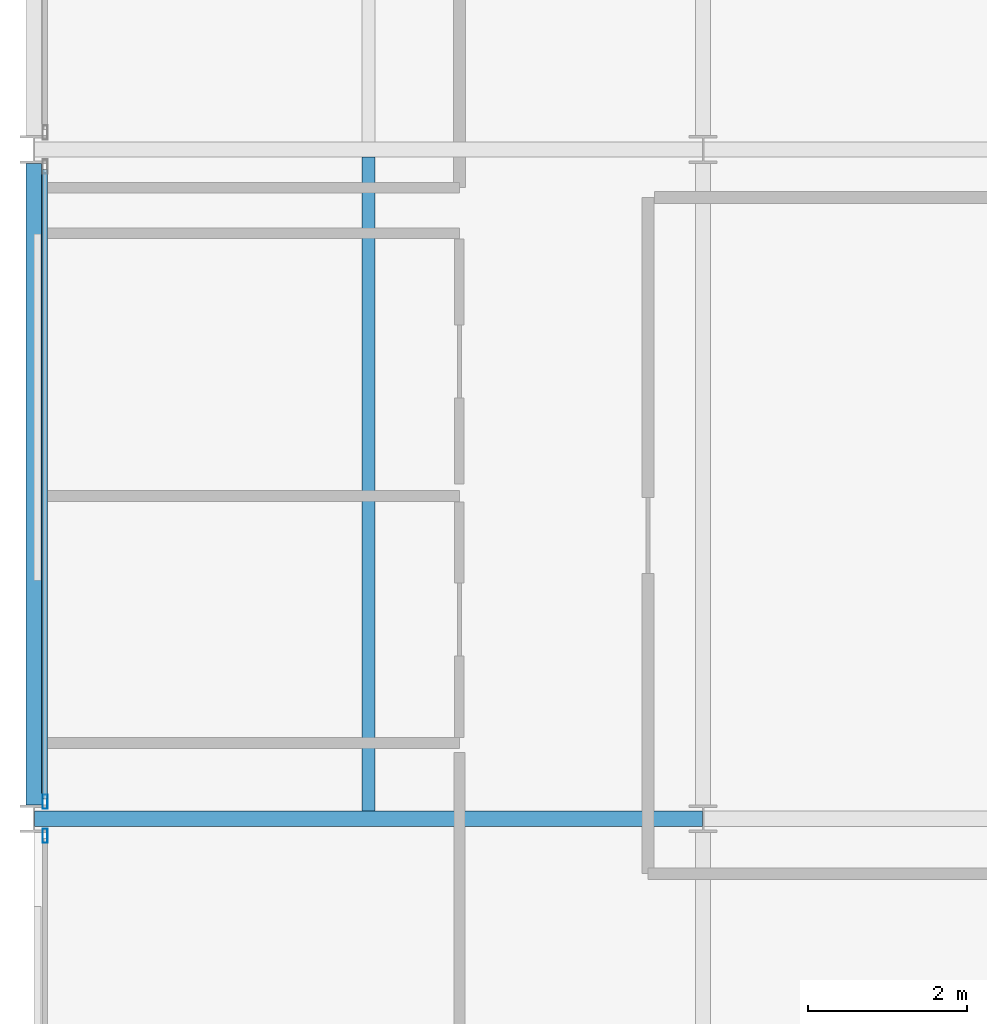
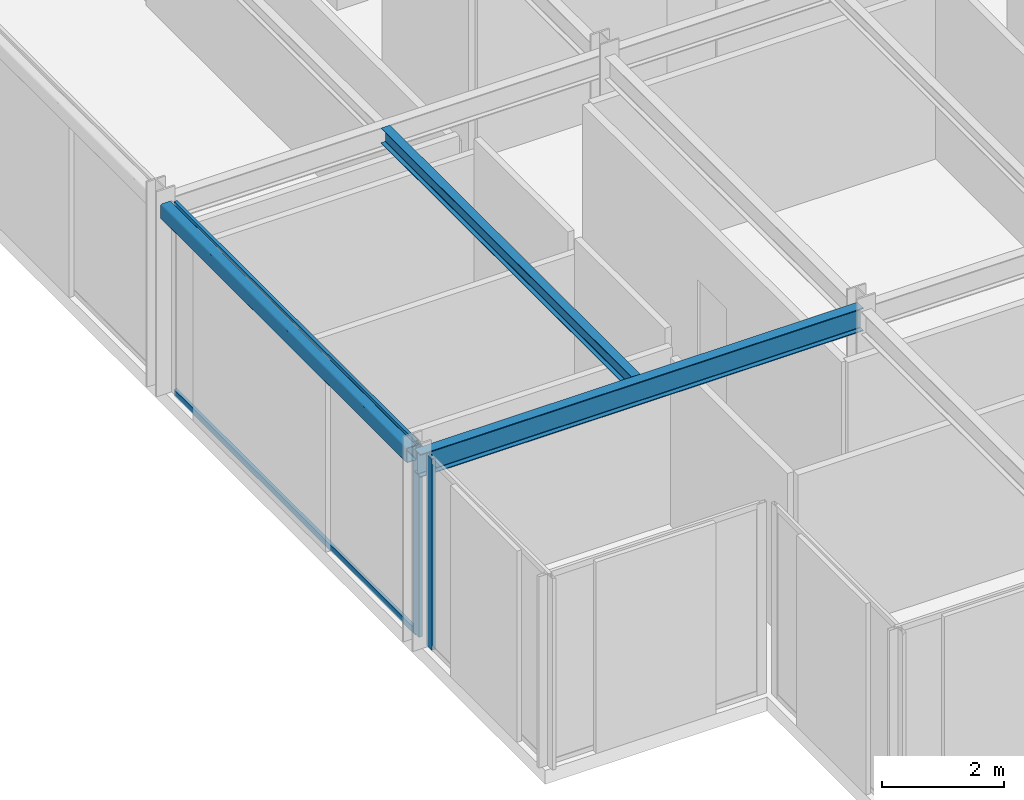
# One storey, part 4 of 25: 4 members, 3 beams, 2 elements without a shape of their own.
"""IFC4 building model written with IfcOpenShell, lengths in metres."""

import ifcopenshell
import ifcopenshell.guid

model = None  # the IFC model being written
_history = None  # IfcOwnerHistory: only IFC2X3 demands one
_inside = {}  # id of a spatial element -> (the spatial element, [elements in it])
_under = {}  # id of a project, library or spatial element -> (it, [spatial elements below it])
_declared = {}  # id of a project -> (the project, [libraries it declares])
_typed = {}  # id of a type object -> (the type object, [elements of that type])
_made_of = {}  # id of a material, layer set ... -> (it, [elements and type objects made of it])


def new_model(schema):
    """Start an empty IFC model of exactly this schema.

    Asked for "IFC4X3", IfcOpenShell would pick the latest addendum, in which some entities
    have other attributes; the version numbers below select the first issue.
    IFC2X3 requires an IfcOwnerHistory on every rooted entity: one is made here for all.
    """
    global model, _history
    if schema == "IFC4X3":
        model = ifcopenshell.file(schema_version=(4, 3, 0, 0))
    else:
        model = ifcopenshell.file(schema=schema)
    _inside.clear()
    _under.clear()
    _declared.clear()
    _typed.clear()
    _made_of.clear()
    _history = None
    if model.schema == "IFC2X3":
        org = make("IfcOrganization", Name="unknown")
        user = make(
            "IfcPersonAndOrganization",
            ThePerson=make("IfcPerson", FamilyName="unknown"),
            TheOrganization=org,
        )
        app = make(
            "IfcApplication",
            ApplicationDeveloper=org,
            Version="unknown",
            ApplicationFullName="unknown",
            ApplicationIdentifier="unknown",
        )
        _history = make(
            "IfcOwnerHistory",
            OwningUser=user,
            OwningApplication=app,
            ChangeAction="ADDED",
            CreationDate=0,
        )
    return model


def make(cls, **values):
    """One entity of the class cls with the attributes given. An attribute that is None is left unset."""
    return model.create_entity(
        cls, **{name: value for name, value in values.items() if value is not None}
    )


def rooted(cls, **values):
    """An entity with a GlobalId (a new one), such as an element, a storey or a relation."""
    return make(cls, GlobalId=ifcopenshell.guid.new(), OwnerHistory=_history, **values)


def si_unit(unit_type, name, prefix=None):
    """IfcSIUnit, for example si_unit("LENGTHUNIT", "METRE", prefix="MILLI")."""
    return make("IfcSIUnit", UnitType=unit_type, Prefix=prefix, Name=name)


def assignment(units):
    """IfcUnitAssignment: the units of a project."""
    return None if units is None else make("IfcUnitAssignment", Units=units)


def point(xyz):
    """IfcCartesianPoint."""
    return None if xyz is None else make("IfcCartesianPoint", Coordinates=xyz)


def direction(xyz):
    """IfcDirection."""
    return None if xyz is None else make("IfcDirection", DirectionRatios=xyz)


def frame(location, z_axis=None, x_axis=None):
    """IfcAxis2Placement3D, a coordinate frame: its origin and axes. An axis left out is left unset."""
    return make(
        "IfcAxis2Placement3D",
        Location=point(location),
        Axis=direction(z_axis),
        RefDirection=direction(x_axis),
    )


def frame_2d(location, x_axis=None):
    """IfcAxis2Placement2D, a coordinate frame in the plane: its origin and x axis."""
    return make(
        "IfcAxis2Placement2D", Location=point(location), RefDirection=direction(x_axis)
    )


def origin():
    """The frame at (0, 0, 0) with its axes left unset."""
    return frame((0.0, 0.0, 0.0))


def origin_2d():
    """The frame at (0, 0) in the plane with its x axis left unset."""
    return frame_2d((0.0, 0.0))


def place(relative_to, where):
    """IfcLocalPlacement: puts the frame where relative to a parent placement (None: the world)."""
    return make(
        "IfcLocalPlacement", PlacementRelTo=relative_to, RelativePlacement=where
    )


def context(
    kind, dimensions, precision=None, world=None, true_north=None, identifier=None
):
    """IfcGeometricRepresentationContext, for example the 3D "Model" context."""
    return make(
        "IfcGeometricRepresentationContext",
        ContextIdentifier=identifier,
        ContextType=kind,
        CoordinateSpaceDimension=dimensions,
        Precision=precision,
        WorldCoordinateSystem=world,
        TrueNorth=true_north,
    )


def subcontext(parent, identifier, kind, view, scale=None):
    """IfcGeometricRepresentationSubContext, for example "Body" below "Model"."""
    return make(
        "IfcGeometricRepresentationSubContext",
        ContextIdentifier=identifier,
        ContextType=kind,
        ParentContext=parent,
        TargetScale=scale,
        TargetView=view,
    )


def project(units=None, contexts=None):
    """IfcProject with its units and contexts."""
    return rooted(
        "IfcProject",
        Name="project",
        RepresentationContexts=contexts,
        UnitsInContext=assignment(units),
    )


def spatial(cls, under=None, at=None, **own):
    """A site, building, storey or space (cls), placed at a placement, below another one or the project."""
    s = rooted(cls, ObjectPlacement=at, **own)
    if under is not None:
        _under.setdefault(under.id(), (under, []))[1].append(s)
    return s


def profile(cls, at=None, kind="AREA", **sizes):
    """A parametric profile (cls). Its sizes go by their IFC names, for example OverallWidth=200.0."""
    return make(cls, ProfileType=kind, Position=at, **sizes)


def hollow_rectangle(**sizes):
    """IfcRectangleHollowProfileDef."""
    return profile("IfcRectangleHollowProfileDef", **sizes)


def i_section(**sizes):
    """IfcIShapeProfileDef."""
    return profile("IfcIShapeProfileDef", **sizes)


def extrude(swept, where, along, depth):
    """IfcExtrudedAreaSolid: the profile swept, set in the frame where, extruded along a direction by depth."""
    return make(
        "IfcExtrudedAreaSolid",
        SweptArea=swept,
        Position=where,
        ExtrudedDirection=direction(along),
        Depth=depth,
    )


def shape(context_of_items, identifier, shape_type, items):
    """IfcShapeRepresentation: the items that make up one representation, for example the "Body"."""
    return make(
        "IfcShapeRepresentation",
        ContextOfItems=context_of_items,
        RepresentationIdentifier=identifier,
        RepresentationType=shape_type,
        Items=items,
    )


def material(Name=None, Category=None):
    """IfcMaterial."""
    return make("IfcMaterial", Name=Name, Category=Category)


def layer(
    of_material, thickness, ventilated=None, Name=None, Category=None, Priority=None
):
    """IfcMaterialLayer: one layer of a wall or slab, of a material (None: an air gap)."""
    return make(
        "IfcMaterialLayer",
        Material=of_material,
        LayerThickness=thickness,
        IsVentilated=ventilated,
        Name=Name,
        Category=Category,
        Priority=Priority,
    )


def layer_set(layers, Name=None):
    """IfcMaterialLayerSet."""
    return make("IfcMaterialLayerSet", MaterialLayers=layers, LayerSetName=Name)


def material_profile(
    of_material, cross_section, Name=None, Category=None, Priority=None
):
    """IfcMaterialProfile: a cross section and its material."""
    return make(
        "IfcMaterialProfile",
        Name=Name,
        Material=of_material,
        Profile=cross_section,
        Priority=Priority,
        Category=Category,
    )


def profile_set(profiles, Name=None, composite=None):
    """IfcMaterialProfileSet."""
    return make(
        "IfcMaterialProfileSet",
        Name=Name,
        MaterialProfiles=profiles,
        CompositeProfile=composite,
    )


def made_of(thing, what):
    """Note that an element or type object is made of a material, layer set ...; save() writes the relation."""
    if what is not None:
        _made_of.setdefault(what.id(), (what, []))[1].append(thing)
    return thing


def type_object(cls, material=None, **own):
    """A type object (cls), such as IfcWallType, which elements share."""
    return made_of(rooted(cls, **own), material)


def element(
    cls,
    number,
    at=None,
    inside=None,
    cuts=None,
    type_object=None,
    material=None,
    context=None,
    identifier="Body",
    shape_type=None,
    held_by="IfcProductDefinitionShape",
    body=None,
    shapes=None,
    **own,
):
    """One element of the class cls, such as IfcWall. Its Tag is "e" and its number.

    at: its placement. inside: the storey or other place that contains it. cuts: it is an
    opening in that element (IfcRelVoidsElement). A single representation is given by context,
    identifier, shape_type and body (its items); several are given by shapes. held_by: the class
    of the entity that holds the representations. save() writes the other relations.
    """
    e = rooted(cls, Tag="e%d" % number, ObjectPlacement=at, **own)
    if body is not None:
        shapes = [shape(context, identifier, shape_type, body)]
    if shapes is not None:
        e.Representation = make(held_by, Representations=shapes)
    if inside is not None:
        _inside.setdefault(inside.id(), (inside, []))[1].append(e)
    if cuts is not None:
        rooted(
            "IfcRelVoidsElement", RelatingBuildingElement=cuts, RelatedOpeningElement=e
        )
    if type_object is not None:
        _typed.setdefault(type_object.id(), (type_object, []))[1].append(e)
    return made_of(e, material)


def aggregate(whole, parts):
    """IfcRelAggregates: a whole, such as a stair, and the parts it consists of."""
    return rooted("IfcRelAggregates", RelatingObject=whole, RelatedObjects=parts)


def save(model, path):
    """Write the relations noted so far, then the file.

    IfcRelAggregates (storeys below a building ...), IfcRelContainedInSpatialStructure (elements
    in a storey), IfcRelDefinesByType, IfcRelAssociatesMaterial and IfcRelDeclares: one each for
    every whole, place, type object, material and project.
    """
    for whole, parts in _under.values():
        aggregate(whole, parts)
    for where, things in _inside.values():
        rooted(
            "IfcRelContainedInSpatialStructure",
            RelatedElements=things,
            RelatingStructure=where,
        )
    for kind, things in _typed.values():
        rooted("IfcRelDefinesByType", RelatedObjects=things, RelatingType=kind)
    for what, things in _made_of.values():
        rooted("IfcRelAssociatesMaterial", RelatedObjects=things, RelatingMaterial=what)
    for by, libraries in _declared.values():
        rooted("IfcRelDeclares", RelatingContext=by, RelatedDefinitions=libraries)
    model.write(path)


model = new_model("IFC4")

# Units and contexts
model_context = context("Model", 3, precision=1e-05, world=origin(), true_north=direction((0.0, 1.0)))
body_context = subcontext(model_context, "Body", "Model", "MODEL_VIEW")
ifc_project = project(units=[si_unit("LENGTHUNIT", "METRE"), si_unit("AREAUNIT", "SQUARE_METRE"), si_unit("VOLUMEUNIT", "CUBIC_METRE"), si_unit("PLANEANGLEUNIT", "RADIAN"), si_unit("MASSUNIT", "GRAM", prefix="KILO")], contexts=[model_context])

# Site, building, storey
site_placement = place(None, origin())
site = spatial("IfcSite", under=ifc_project, at=site_placement, CompositionType="ELEMENT")
building_placement = place(site_placement, origin())
building = spatial("IfcBuilding", under=site, at=building_placement, Name="Nerrivon Quay Data Exchange", CompositionType="ELEMENT")
storey_placement = place(building_placement, frame((0.0, 0.0, 224.699951171875)))
storey = spatial("IfcBuildingStorey", under=building, at=storey_placement, Name="L53", CompositionType="ELEMENT", Elevation=224.699951171875)

# Beams
ifc_material_1 = material(Name="Steel Grade 350", Category="steel")
ifc_material_profile_1 = material_profile(ifc_material_1, i_section(OverallWidth=0.19091796875, OverallDepth=0.4599609375, WebThickness=0.010009765625, FlangeThickness=0.01611328125, FilletRadius=0.011474609375, at=origin_2d()), Name="460UB82.1")
ifc_profile_set_1 = profile_set([ifc_material_profile_1], Name="Steel Grade 350")
beam_type_1 = type_object("IfcBeamType", Name="BM-G5-460UB82", PredefinedType="BEAM", material=ifc_profile_set_1)
beam_1_placement = place(storey_placement, frame((0.010009765625, 8.39990234375, 3.594970703125), z_axis=(1.0, 0.0, 0.0), x_axis=(0.0, 1.0, 0.0)))
element("IfcBeam", 1, at=beam_1_placement, inside=storey, type_object=beam_type_1, Name="L53 EW Girder Y=8.4 (0.0..8.4)", PredefinedType="BEAM", context=body_context, shape_type="SweptSolid", body=[
    extrude(i_section(OverallWidth=0.19091796875, OverallDepth=0.4599609375, WebThickness=0.010009765625, FlangeThickness=0.01611328125, FilletRadius=0.011474609375, at=origin_2d()), origin(), (0.0, 0.0, 1.0), 8.3798828125),
])
ifc_material_profile_2 = material_profile(ifc_material_1, i_section(OverallWidth=0.166015625, OverallDepth=0.306884765625, WebThickness=0.006591796875, FlangeThickness=0.01171875, FilletRadius=0.011474609375, at=origin_2d()), Name="310UB46.2")
ifc_profile_set_2 = profile_set([ifc_material_profile_2], Name="Steel Grade 350")
beam_type_2 = type_object("IfcBeamType", Name="BM-J5-310UB46", PredefinedType="JOIST", material=ifc_profile_set_2)
beam_2_placement = place(storey_placement, frame((4.199951171875, 8.49560546875, 3.671630859375), z_axis=(0.0, 1.0, 0.0), x_axis=(-1.0, 0.0, 0.0)))
element("IfcBeam", 2, at=beam_2_placement, inside=storey, type_object=beam_type_2, Name="L53 Secondary Joist X=4.2 (8.4..16.8)", PredefinedType="JOIST", context=body_context, shape_type="SweptSolid", body=[
    extrude(i_section(OverallWidth=0.166015625, OverallDepth=0.306884765625, WebThickness=0.006591796875, FlangeThickness=0.01171875, FilletRadius=0.011474609375, at=origin_2d()), origin(), (0.0, 0.0, 1.0), 8.208984375),
])
ifc_material_2 = material(Name="Steel Grade C350L0 (350 MPa)", Category="steel")
ifc_material_profile_3 = material_profile(ifc_material_2, hollow_rectangle(XDim=0.199951171875, YDim=0.300048828125, WallThickness=0.012451171875, InnerFilletRadius=0.018798828125, OuterFilletRadius=0.03125, at=origin_2d()), Name="300x200x12.5RHS")
ifc_profile_set_3 = profile_set([ifc_material_profile_3], Name="Steel Grade C350L0 (350 MPa)")
beam_type_3 = type_object("IfcBeamType", Name="BM-SP3-300x200RHS", PredefinedType="SPANDREL", material=ifc_profile_set_3)
beam_3_placement = place(storey_placement, frame((0.0, 8.574951171875, 3.675048828125), z_axis=(0.0, 1.0, 0.0), x_axis=(-1.0, 0.0, 0.0)))
element("IfcBeam", 3, at=beam_3_placement, inside=storey, type_object=beam_type_3, Name="L53 NS Girder X=0.0 (8.4..16.8)", PredefinedType="SPANDREL", context=body_context, shape_type="SweptSolid", body=[
    extrude(hollow_rectangle(XDim=0.199951171875, YDim=0.300048828125, WallThickness=0.012451171875, InnerFilletRadius=0.018798828125, OuterFilletRadius=0.03125, at=origin_2d()), origin(), (0.0, 0.0, 1.0), 8.050048828125),
])

# Curtain wall, member
ifc_material_3 = material(Name="Anodised aluminium 6063-T6", Category="aluminium")
ifc_layer = layer(ifc_material_3, 0.195068359375)
ifc_layer_set = layer_set([ifc_layer], Name="Anodised aluminium 6063-T6")
curtain_wall_type = type_object("IfcCurtainWallType", Name="CW-SYS-06", PredefinedType="NOTDEFINED", material=ifc_layer_set)
curtain_wall_1_placement = place(storey_placement, origin())
curtain_wall_1 = element("IfcCurtainWall", 4, at=curtain_wall_1_placement, inside=storey, type_object=curtain_wall_type, Name="L53 Unitised Curtain Wall 11", PredefinedType="NOTDEFINED")
ifc_material_profile_4 = material_profile(ifc_material_3, hollow_rectangle(XDim=0.06494140625, YDim=0.179931640625, WallThickness=0.00341796875, at=origin_2d()), Name="ALU-MULL-180x65")
ifc_profile_set_4 = profile_set([ifc_material_profile_4], Name="Anodised aluminium 6063-T6")
member_type_1 = type_object("IfcMemberType", Name="CWM-180x65", PredefinedType="MULLION", material=ifc_profile_set_4)
member_1_placement = place(storey_placement, frame((0.139892578125, 8.1875, 0.0), z_axis=(0.0, 0.0, 1.0), x_axis=(-1.0, 0.0, 0.0)))
member_1 = element("IfcMember", 5, at=member_1_placement, type_object=member_type_1, Name="CW06 mullion 2", PredefinedType="MULLION", context=body_context, shape_type="SweptSolid", body=[
    extrude(hollow_rectangle(XDim=0.06494140625, YDim=0.179931640625, WallThickness=0.00341796875, at=origin_2d()), origin(), (0.0, 0.0, 1.0), 3.824951171875),
])
aggregate(curtain_wall_1, [member_1])

# Curtain wall, members
curtain_wall_2_placement = place(storey_placement, origin())
curtain_wall_2 = element("IfcCurtainWall", 6, at=curtain_wall_2_placement, inside=storey, type_object=curtain_wall_type, Name="L53 Unitised Curtain Wall 12", PredefinedType="NOTDEFINED")
member_2_placement = place(storey_placement, frame((0.139892578125, 8.612548828125, 0.0), z_axis=(0.0, 0.0, 1.0), x_axis=(-1.0, 0.0, 0.0)))
member_2 = element("IfcMember", 7, at=member_2_placement, type_object=member_type_1, Name="CW06 mullion 1", PredefinedType="MULLION", context=body_context, shape_type="SweptSolid", body=[
    extrude(hollow_rectangle(XDim=0.06494140625, YDim=0.179931640625, WallThickness=0.00341796875, at=origin_2d()), origin(), (0.0, 0.0, 1.0), 3.824951171875),
])
ifc_material_profile_5 = material_profile(ifc_material_3, hollow_rectangle(XDim=0.06005859375, YDim=0.1201171875, WallThickness=0.003173828125, at=origin_2d()), Name="ALU-TRAN-120x60")
ifc_profile_set_5 = profile_set([ifc_material_profile_5], Name="Anodised aluminium 6063-T6")
member_type_2 = type_object("IfcMemberType", Name="CWT-120x60", PredefinedType="USERDEFINED", material=ifc_profile_set_5)
member_3_placement = place(storey_placement, frame((0.139892578125, 8.64990234375, 0.032470703125), z_axis=(0.0, 1.0, 0.0), x_axis=(-1.0, 0.0, 0.0)))
member_3 = element("IfcMember", 8, at=member_3_placement, type_object=member_type_2, Name="CW06 transom 1.1", ObjectType="TRANSOM", PredefinedType="USERDEFINED", context=body_context, shape_type="SweptSolid", body=[
    extrude(hollow_rectangle(XDim=0.06005859375, YDim=0.1201171875, WallThickness=0.003173828125, at=origin_2d()), origin(), (0.0, 0.0, 1.0), 7.900146484375),
])
member_4_placement = place(storey_placement, frame((0.139892578125, 8.64990234375, 3.79248046875), z_axis=(0.0, 1.0, 0.0), x_axis=(-1.0, 0.0, 0.0)))
member_4 = element("IfcMember", 9, at=member_4_placement, type_object=member_type_2, Name="CW06 transom 1.2", ObjectType="TRANSOM", PredefinedType="USERDEFINED", context=body_context, shape_type="SweptSolid", body=[
    extrude(hollow_rectangle(XDim=0.06005859375, YDim=0.1201171875, WallThickness=0.003173828125, at=origin_2d()), origin(), (0.0, 0.0, 1.0), 7.900146484375),
])
aggregate(curtain_wall_2, [member_2, member_3, member_4])

save(model, "model.ifc")
